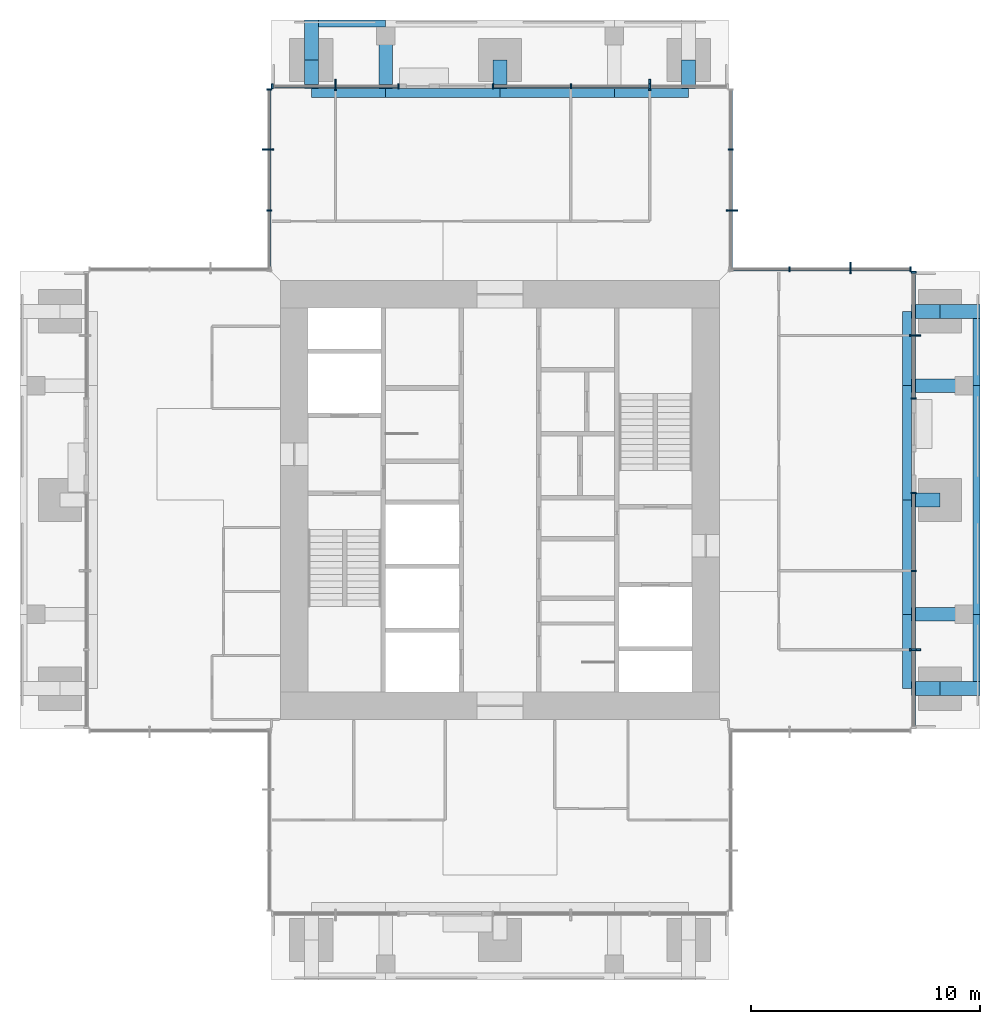
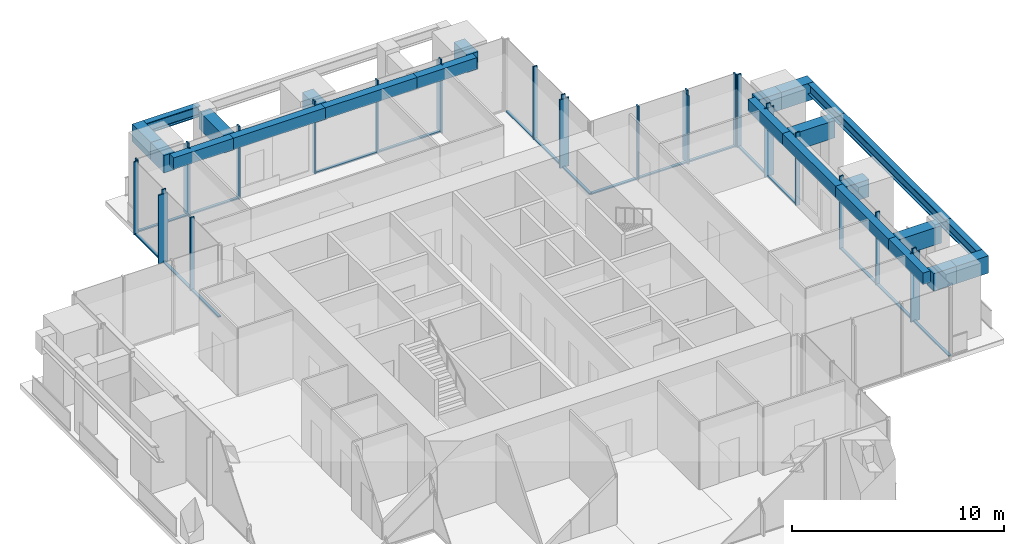
# One storey, part 4 of 12: 45 members, 24 beams, 7 elements without a shape of their own.
"""IFC4 building model written with IfcOpenShell, lengths in metres."""

from ifc_helpers import new_model, si_unit, direction, frame, origin, origin_2d, place, context, subcontext, project, spatial, rectangle, i_section, extrude, material, material_profile, profile_set, type_object, element, aggregate, save


model = new_model("IFC4")

# Units and contexts
model_context = context("Model", 3, precision=1e-05, world=origin(), true_north=direction((0.0, 1.0)))
body_context = subcontext(model_context, "Body", "Model", "MODEL_VIEW")
ifc_project = project(units=[si_unit("LENGTHUNIT", "METRE"), si_unit("AREAUNIT", "SQUARE_METRE"), si_unit("VOLUMEUNIT", "CUBIC_METRE"), si_unit("PLANEANGLEUNIT", "RADIAN"), si_unit("MASSUNIT", "GRAM", prefix="KILO")], contexts=[model_context])

# Site, building, storey
site_placement = place(None, origin())
site = spatial("IfcSite", under=ifc_project, at=site_placement, CompositionType="ELEMENT")
building_placement = place(site_placement, origin())
building = spatial("IfcBuilding", under=site, at=building_placement, Name="Svetlomir Tower", CompositionType="ELEMENT")
storey_placement = place(building_placement, frame((0.0, 0.0, 256.60009765625)))
storey = spatial("IfcBuildingStorey", under=building, at=storey_placement, Name="L61", CompositionType="ELEMENT", Elevation=256.60009765625)

# Curtain wall, member
ifc_material_1 = material(Name="Bronze anodised aluminium curtain wall", Category="aluminium")
curtain_wall_type = type_object("IfcCurtainWallType", Name="CURTAIN WALL CW4 EXECUTIVE", PredefinedType="NOTDEFINED", material=ifc_material_1)
curtain_wall_1_placement = place(storey_placement, origin())
curtain_wall_1 = element("IfcCurtainWall", 1, at=curtain_wall_1_placement, inside=storey, type_object=curtain_wall_type, Name="Curtain wall CW4 L61", PredefinedType="NOTDEFINED")
ifc_material_2 = material(Name="Bronze anodised aluminium", Category="aluminium")
ifc_material_profile_1 = material_profile(ifc_material_2, rectangle(XDim=0.080078125, YDim=0.5, at=origin_2d()), Name="FIN 80x500")
ifc_profile_set_1 = profile_set([ifc_material_profile_1], Name="Bronze anodised aluminium 6063-T6")
member_type_1 = type_object("IfcMemberType", Name="BRONZE FIN 80x500", PredefinedType="USERDEFINED", material=ifc_profile_set_1)
member_1_placement = place(storey_placement, frame((39.14990234375, 14.449951171875, 0.0), z_axis=(0.0, 0.0, 1.0), x_axis=(0.0, 1.0, 0.0)))
member_1 = element("IfcMember", 2, at=member_1_placement, type_object=member_type_1, Name="Bronze fin L61", ObjectType="FIN", PredefinedType="USERDEFINED", context=body_context, shape_type="SweptSolid", body=[
    extrude(rectangle(XDim=0.080078125, YDim=0.5, at=origin_2d()), origin(), (0.0, 0.0, 1.0), 3.949951171875),
])

curtain_wall_2_placement = place(storey_placement, origin())
curtain_wall_2 = element("IfcCurtainWall", 3, at=curtain_wall_2_placement, inside=storey, type_object=curtain_wall_type, Name="Curtain wall CW4 L61", PredefinedType="NOTDEFINED")
member_2_placement = place(storey_placement, frame((39.14990234375, 28.199951171875, 0.0), z_axis=(0.0, 0.0, 1.0), x_axis=(0.0, 1.0, 0.0)))
member_2 = element("IfcMember", 4, at=member_2_placement, type_object=member_type_1, Name="Bronze fin L61", ObjectType="FIN", PredefinedType="USERDEFINED", context=body_context, shape_type="SweptSolid", body=[
    extrude(rectangle(XDim=0.080078125, YDim=0.5, at=origin_2d()), origin(), (0.0, 0.0, 1.0), 3.949951171875),
])

curtain_wall_3_placement = place(storey_placement, origin())
curtain_wall_3 = element("IfcCurtainWall", 5, at=curtain_wall_3_placement, inside=storey, type_object=curtain_wall_type, Name="Curtain wall CW4 L61", PredefinedType="NOTDEFINED")
member_3_placement = place(storey_placement, frame((36.333251953125, 31.14990234375, 0.0), z_axis=(0.0, 0.0, 1.0), x_axis=(1.0, 0.0, 0.0)))
member_3 = element("IfcMember", 6, at=member_3_placement, type_object=member_type_1, Name="Bronze fin L61", ObjectType="FIN", PredefinedType="USERDEFINED", context=body_context, shape_type="SweptSolid", body=[
    extrude(rectangle(XDim=0.080078125, YDim=0.5, at=origin_2d()), origin(), (0.0, 0.0, 1.0), 3.949951171875),
])

curtain_wall_4_placement = place(storey_placement, origin())
curtain_wall_4 = element("IfcCurtainWall", 7, at=curtain_wall_4_placement, inside=storey, type_object=curtain_wall_type, Name="Curtain wall CW4 L61", PredefinedType="NOTDEFINED")
member_4_placement = place(storey_placement, frame((31.14990234375, 33.666748046875, 0.0), z_axis=(0.0, 0.0, 1.0), x_axis=(0.0, 1.0, 0.0)))
member_4 = element("IfcMember", 8, at=member_4_placement, type_object=member_type_1, Name="Bronze fin L61", ObjectType="FIN", PredefinedType="USERDEFINED", context=body_context, shape_type="SweptSolid", body=[
    extrude(rectangle(XDim=0.080078125, YDim=0.5, at=origin_2d()), origin(), (0.0, 0.0, 1.0), 3.949951171875),
])

curtain_wall_5_placement = place(storey_placement, origin())
curtain_wall_5 = element("IfcCurtainWall", 9, at=curtain_wall_5_placement, inside=storey, type_object=curtain_wall_type, Name="Curtain wall CW4 L61", PredefinedType="NOTDEFINED")
member_5_placement = place(storey_placement, frame((27.550048828125, 39.14990234375, 0.0), z_axis=(0.0, 0.0, 1.0), x_axis=(1.0, 0.0, 0.0)))
member_5 = element("IfcMember", 10, at=member_5_placement, type_object=member_type_1, Name="Bronze fin L61", ObjectType="FIN", PredefinedType="USERDEFINED", context=body_context, shape_type="SweptSolid", body=[
    extrude(rectangle(XDim=0.080078125, YDim=0.5, at=origin_2d()), origin(), (0.0, 0.0, 1.0), 3.949951171875),
])

curtain_wall_6_placement = place(storey_placement, origin())
curtain_wall_6 = element("IfcCurtainWall", 11, at=curtain_wall_6_placement, inside=storey, type_object=curtain_wall_type, Name="Curtain wall CW4 L61", PredefinedType="NOTDEFINED")
member_6_placement = place(storey_placement, frame((13.800048828125, 39.14990234375, 0.0), z_axis=(0.0, 0.0, 1.0), x_axis=(1.0, 0.0, 0.0)))
member_6 = element("IfcMember", 12, at=member_6_placement, type_object=member_type_1, Name="Bronze fin L61", ObjectType="FIN", PredefinedType="USERDEFINED", context=body_context, shape_type="SweptSolid", body=[
    extrude(rectangle(XDim=0.080078125, YDim=0.5, at=origin_2d()), origin(), (0.0, 0.0, 1.0), 3.949951171875),
])

curtain_wall_7_placement = place(storey_placement, origin())
curtain_wall_7 = element("IfcCurtainWall", 13, at=curtain_wall_7_placement, inside=storey, type_object=curtain_wall_type, Name="Curtain wall CW4 L61", PredefinedType="NOTDEFINED")
member_7_placement = place(storey_placement, frame((10.85009765625, 36.333251953125, 0.0), z_axis=(0.0, 0.0, 1.0), x_axis=(0.0, 1.0, 0.0)))
member_7 = element("IfcMember", 14, at=member_7_placement, type_object=member_type_1, Name="Bronze fin L61", ObjectType="FIN", PredefinedType="USERDEFINED", context=body_context, shape_type="SweptSolid", body=[
    extrude(rectangle(XDim=0.080078125, YDim=0.5, at=origin_2d()), origin(), (0.0, 0.0, 1.0), 3.949951171875),
])

# Member
ifc_material_3 = material(Name="Bronze anodised aluminium", Category="aluminium")
ifc_material_profile_2 = material_profile(ifc_material_3, rectangle(XDim=0.074951171875, YDim=0.219970703125, at=origin_2d()), Name="AL 75x220")
ifc_profile_set_2 = profile_set([ifc_material_profile_2], Name="Bronze anodised aluminium 6063-T6")
member_type_2 = type_object("IfcMemberType", Name="CW4 MULLION 75x220", PredefinedType="MULLION", material=ifc_profile_set_2)
member_8_placement = place(storey_placement, frame((39.10009765625, 14.449951171875, 0.0), z_axis=(0.0, 0.0, 1.0), x_axis=(0.0, 1.0, 0.0)))
member_8 = element("IfcMember", 15, at=member_8_placement, type_object=member_type_2, Name="CW4 mullion 2", PredefinedType="MULLION", context=body_context, shape_type="SweptSolid", body=[
    extrude(rectangle(XDim=0.074951171875, YDim=0.219970703125, at=origin_2d()), origin(), (0.0, 0.0, 1.0), 4.199951171875),
])

member_9_placement = place(storey_placement, frame((39.10009765625, 17.89990234375, 0.0), z_axis=(0.0, 0.0, 1.0), x_axis=(0.0, 1.0, 0.0)))
member_9 = element("IfcMember", 16, at=member_9_placement, type_object=member_type_2, Name="CW4 mullion 3", PredefinedType="MULLION", context=body_context, shape_type="SweptSolid", body=[
    extrude(rectangle(XDim=0.074951171875, YDim=0.219970703125, at=origin_2d()), origin(), (0.0, 0.0, 1.0), 4.199951171875),
])

member_10_placement = place(storey_placement, frame((39.10009765625, 21.3125, 0.0), z_axis=(0.0, 0.0, 1.0), x_axis=(0.0, 1.0, 0.0)))
member_10 = element("IfcMember", 17, at=member_10_placement, type_object=member_type_2, Name="CW4 mullion 4", PredefinedType="MULLION", context=body_context, shape_type="SweptSolid", body=[
    extrude(rectangle(XDim=0.074951171875, YDim=0.219970703125, at=origin_2d()), origin(), (0.0, 0.0, 1.0), 4.199951171875),
])

member_11_placement = place(storey_placement, frame((39.10009765625, 25.4375, 0.0), z_axis=(0.0, 0.0, 1.0), x_axis=(0.0, 1.0, 0.0)))
member_11 = element("IfcMember", 18, at=member_11_placement, type_object=member_type_2, Name="CW4 mullion 1", PredefinedType="MULLION", context=body_context, shape_type="SweptSolid", body=[
    extrude(rectangle(XDim=0.074951171875, YDim=0.219970703125, at=origin_2d()), origin(), (0.0, 0.0, 1.0), 4.199951171875),
])

member_12_placement = place(storey_placement, frame((39.10009765625, 28.199951171875, 0.0), z_axis=(0.0, 0.0, 1.0), x_axis=(0.0, 1.0, 0.0)))
member_12 = element("IfcMember", 19, at=member_12_placement, type_object=member_type_2, Name="CW4 mullion 2", PredefinedType="MULLION", context=body_context, shape_type="SweptSolid", body=[
    extrude(rectangle(XDim=0.074951171875, YDim=0.219970703125, at=origin_2d()), origin(), (0.0, 0.0, 1.0), 4.199951171875),
])

member_13_placement = place(storey_placement, frame((39.10009765625, 30.96240234375, 0.0), z_axis=(0.0, 0.0, 1.0), x_axis=(0.0, 1.0, 0.0)))
member_13 = element("IfcMember", 20, at=member_13_placement, type_object=member_type_2, Name="CW4 mullion 3", PredefinedType="MULLION", context=body_context, shape_type="SweptSolid", body=[
    extrude(rectangle(XDim=0.074951171875, YDim=0.219970703125, at=origin_2d()), origin(), (0.0, 0.0, 1.0), 4.199951171875),
])

member_14_placement = place(storey_placement, frame((38.96240234375, 31.10009765625, 0.0), z_axis=(0.0, 0.0, 1.0), x_axis=(-1.0, 0.0, 0.0)))
member_14 = element("IfcMember", 21, at=member_14_placement, type_object=member_type_2, Name="CW4 mullion 1", PredefinedType="MULLION", context=body_context, shape_type="SweptSolid", body=[
    extrude(rectangle(XDim=0.074951171875, YDim=0.219970703125, at=origin_2d()), origin(), (0.0, 0.0, 1.0), 4.199951171875),
])

member_15_placement = place(storey_placement, frame((36.333251953125, 31.10009765625, 0.0), z_axis=(0.0, 0.0, 1.0), x_axis=(-1.0, 0.0, 0.0)))
member_15 = element("IfcMember", 22, at=member_15_placement, type_object=member_type_2, Name="CW4 mullion 2", PredefinedType="MULLION", context=body_context, shape_type="SweptSolid", body=[
    extrude(rectangle(XDim=0.074951171875, YDim=0.219970703125, at=origin_2d()), origin(), (0.0, 0.0, 1.0), 4.199951171875),
])

member_16_placement = place(storey_placement, frame((33.666748046875, 31.10009765625, 0.0), z_axis=(0.0, 0.0, 1.0), x_axis=(-1.0, 0.0, 0.0)))
member_16 = element("IfcMember", 23, at=member_16_placement, type_object=member_type_2, Name="CW4 mullion 3", PredefinedType="MULLION", context=body_context, shape_type="SweptSolid", body=[
    extrude(rectangle(XDim=0.074951171875, YDim=0.219970703125, at=origin_2d()), origin(), (0.0, 0.0, 1.0), 4.199951171875),
])

member_17_placement = place(storey_placement, frame((31.10009765625, 33.666748046875, 0.0), z_axis=(0.0, 0.0, 1.0), x_axis=(0.0, 1.0, 0.0)))
member_17 = element("IfcMember", 24, at=member_17_placement, type_object=member_type_2, Name="CW4 mullion 2", PredefinedType="MULLION", context=body_context, shape_type="SweptSolid", body=[
    extrude(rectangle(XDim=0.074951171875, YDim=0.219970703125, at=origin_2d()), origin(), (0.0, 0.0, 1.0), 4.199951171875),
])

member_18_placement = place(storey_placement, frame((31.10009765625, 36.333251953125, 0.0), z_axis=(0.0, 0.0, 1.0), x_axis=(0.0, 1.0, 0.0)))
member_18 = element("IfcMember", 25, at=member_18_placement, type_object=member_type_2, Name="CW4 mullion 3", PredefinedType="MULLION", context=body_context, shape_type="SweptSolid", body=[
    extrude(rectangle(XDim=0.074951171875, YDim=0.219970703125, at=origin_2d()), origin(), (0.0, 0.0, 1.0), 4.199951171875),
])

member_19_placement = place(storey_placement, frame((27.550048828125, 39.10009765625, 0.0), z_axis=(0.0, 0.0, 1.0), x_axis=(-1.0, 0.0, 0.0)))
member_19 = element("IfcMember", 26, at=member_19_placement, type_object=member_type_2, Name="CW4 mullion 2", PredefinedType="MULLION", context=body_context, shape_type="SweptSolid", body=[
    extrude(rectangle(XDim=0.074951171875, YDim=0.219970703125, at=origin_2d()), origin(), (0.0, 0.0, 1.0), 4.199951171875),
])

member_20_placement = place(storey_placement, frame((24.10009765625, 39.10009765625, 0.0), z_axis=(0.0, 0.0, 1.0), x_axis=(-1.0, 0.0, 0.0)))
member_20 = element("IfcMember", 27, at=member_20_placement, type_object=member_type_2, Name="CW4 mullion 3", PredefinedType="MULLION", context=body_context, shape_type="SweptSolid", body=[
    extrude(rectangle(XDim=0.074951171875, YDim=0.219970703125, at=origin_2d()), origin(), (0.0, 0.0, 1.0), 4.199951171875),
])

member_21_placement = place(storey_placement, frame((20.6875, 39.10009765625, 0.0), z_axis=(0.0, 0.0, 1.0), x_axis=(-1.0, 0.0, 0.0)))
member_21 = element("IfcMember", 28, at=member_21_placement, type_object=member_type_2, Name="CW4 mullion 4", PredefinedType="MULLION", context=body_context, shape_type="SweptSolid", body=[
    extrude(rectangle(XDim=0.074951171875, YDim=0.219970703125, at=origin_2d()), origin(), (0.0, 0.0, 1.0), 4.199951171875),
])

member_22_placement = place(storey_placement, frame((16.5625, 39.10009765625, 0.0), z_axis=(0.0, 0.0, 1.0), x_axis=(-1.0, 0.0, 0.0)))
member_22 = element("IfcMember", 29, at=member_22_placement, type_object=member_type_2, Name="CW4 mullion 1", PredefinedType="MULLION", context=body_context, shape_type="SweptSolid", body=[
    extrude(rectangle(XDim=0.074951171875, YDim=0.219970703125, at=origin_2d()), origin(), (0.0, 0.0, 1.0), 4.199951171875),
])

member_23_placement = place(storey_placement, frame((13.800048828125, 39.10009765625, 0.0), z_axis=(0.0, 0.0, 1.0), x_axis=(-1.0, 0.0, 0.0)))
member_23 = element("IfcMember", 30, at=member_23_placement, type_object=member_type_2, Name="CW4 mullion 2", PredefinedType="MULLION", context=body_context, shape_type="SweptSolid", body=[
    extrude(rectangle(XDim=0.074951171875, YDim=0.219970703125, at=origin_2d()), origin(), (0.0, 0.0, 1.0), 4.199951171875),
])

member_24_placement = place(storey_placement, frame((11.03759765625, 39.10009765625, 0.0), z_axis=(0.0, 0.0, 1.0), x_axis=(-1.0, 0.0, 0.0)))
member_24 = element("IfcMember", 31, at=member_24_placement, type_object=member_type_2, Name="CW4 mullion 3", PredefinedType="MULLION", context=body_context, shape_type="SweptSolid", body=[
    extrude(rectangle(XDim=0.074951171875, YDim=0.219970703125, at=origin_2d()), origin(), (0.0, 0.0, 1.0), 4.199951171875),
])

member_25_placement = place(storey_placement, frame((10.89990234375, 38.96240234375, 0.0), z_axis=(0.0, 0.0, 1.0), x_axis=(0.0, -1.0, 0.0)))
member_25 = element("IfcMember", 32, at=member_25_placement, type_object=member_type_2, Name="CW4 mullion 1", PredefinedType="MULLION", context=body_context, shape_type="SweptSolid", body=[
    extrude(rectangle(XDim=0.074951171875, YDim=0.219970703125, at=origin_2d()), origin(), (0.0, 0.0, 1.0), 4.199951171875),
])

member_26_placement = place(storey_placement, frame((10.89990234375, 36.333251953125, 0.0), z_axis=(0.0, 0.0, 1.0), x_axis=(0.0, -1.0, 0.0)))
member_26 = element("IfcMember", 33, at=member_26_placement, type_object=member_type_2, Name="CW4 mullion 2", PredefinedType="MULLION", context=body_context, shape_type="SweptSolid", body=[
    extrude(rectangle(XDim=0.074951171875, YDim=0.219970703125, at=origin_2d()), origin(), (0.0, 0.0, 1.0), 4.199951171875),
])

member_27_placement = place(storey_placement, frame((10.89990234375, 33.666748046875, 0.0), z_axis=(0.0, 0.0, 1.0), x_axis=(0.0, -1.0, 0.0)))
member_27 = element("IfcMember", 34, at=member_27_placement, type_object=member_type_2, Name="CW4 mullion 3", PredefinedType="MULLION", context=body_context, shape_type="SweptSolid", body=[
    extrude(rectangle(XDim=0.074951171875, YDim=0.219970703125, at=origin_2d()), origin(), (0.0, 0.0, 1.0), 4.199951171875),
])

ifc_material_4 = material(Name="Bronze anodised aluminium", Category="aluminium")
ifc_material_profile_3 = material_profile(ifc_material_4, rectangle(XDim=0.14990234375, YDim=0.074951171875, at=origin_2d()), Name="AL 150x75")
ifc_profile_set_3 = profile_set([ifc_material_profile_3], Name="Bronze anodised aluminium 6063-T6")
member_type_3 = type_object("IfcMemberType", Name="CW4 TRANSOM 75x150", PredefinedType="USERDEFINED", material=ifc_profile_set_3)
member_28_placement = place(storey_placement, frame((39.10009765625, 11.074951171875, 0.037353515625), z_axis=(0.0, 1.0, 0.0), x_axis=(-1.0, 0.0, 0.0)))
member_28 = element("IfcMember", 35, at=member_28_placement, type_object=member_type_3, Name="CW4 transom 1.1", ObjectType="TRANSOM", PredefinedType="USERDEFINED", context=body_context, shape_type="SweptSolid", body=[
    extrude(rectangle(XDim=0.14990234375, YDim=0.074951171875, at=origin_2d()), origin(), (0.0, 0.0, 1.0), 3.337646484375),
])

member_29_placement = place(storey_placement, frame((39.10009765625, 14.487548828125, 0.037353515625), z_axis=(0.0, 1.0, 0.0), x_axis=(-1.0, 0.0, 0.0)))
member_29 = element("IfcMember", 36, at=member_29_placement, type_object=member_type_3, Name="CW4 transom 2.1", ObjectType="TRANSOM", PredefinedType="USERDEFINED", context=body_context, shape_type="SweptSolid", body=[
    extrude(rectangle(XDim=0.14990234375, YDim=0.074951171875, at=origin_2d()), origin(), (0.0, 0.0, 1.0), 3.375),
])

member_30_placement = place(storey_placement, frame((39.10009765625, 17.9375, 0.037353515625), z_axis=(0.0, 1.0, 0.0), x_axis=(-1.0, 0.0, 0.0)))
member_30 = element("IfcMember", 37, at=member_30_placement, type_object=member_type_3, Name="CW4 transom 3.1", ObjectType="TRANSOM", PredefinedType="USERDEFINED", context=body_context, shape_type="SweptSolid", body=[
    extrude(rectangle(XDim=0.14990234375, YDim=0.074951171875, at=origin_2d()), origin(), (0.0, 0.0, 1.0), 3.33740234375),
])

aggregate(curtain_wall_1, [member_8, member_9, member_10, member_28, member_29, member_30, member_1])

member_31_placement = place(storey_placement, frame((39.10009765625, 25.47509765625, 0.037353515625), z_axis=(0.0, 1.0, 0.0), x_axis=(-1.0, 0.0, 0.0)))
member_31 = element("IfcMember", 38, at=member_31_placement, type_object=member_type_3, Name="CW4 transom 1.1", ObjectType="TRANSOM", PredefinedType="USERDEFINED", context=body_context, shape_type="SweptSolid", body=[
    extrude(rectangle(XDim=0.14990234375, YDim=0.074951171875, at=origin_2d()), origin(), (0.0, 0.0, 1.0), 2.6875),
])

member_32_placement = place(storey_placement, frame((39.10009765625, 28.237548828125, 0.037353515625), z_axis=(0.0, 1.0, 0.0), x_axis=(-1.0, 0.0, 0.0)))
member_32 = element("IfcMember", 39, at=member_32_placement, type_object=member_type_3, Name="CW4 transom 2.1", ObjectType="TRANSOM", PredefinedType="USERDEFINED", context=body_context, shape_type="SweptSolid", body=[
    extrude(rectangle(XDim=0.14990234375, YDim=0.074951171875, at=origin_2d()), origin(), (0.0, 0.0, 1.0), 2.6875),
])

aggregate(curtain_wall_2, [member_11, member_12, member_13, member_31, member_32, member_2])

member_33_placement = place(storey_placement, frame((38.925048828125, 31.10009765625, 0.037353515625), z_axis=(-1.0, 0.0, 0.0), x_axis=(0.0, -1.0, 0.0)))
member_33 = element("IfcMember", 40, at=member_33_placement, type_object=member_type_3, Name="CW4 transom 1.1", ObjectType="TRANSOM", PredefinedType="USERDEFINED", context=body_context, shape_type="SweptSolid", body=[
    extrude(rectangle(XDim=0.14990234375, YDim=0.074951171875, at=origin_2d()), origin(), (0.0, 0.0, 1.0), 2.55419921875),
])

member_34_placement = place(storey_placement, frame((36.2958984375, 31.10009765625, 0.037353515625), z_axis=(-1.0, 0.0, 0.0), x_axis=(0.0, -1.0, 0.0)))
member_34 = element("IfcMember", 41, at=member_34_placement, type_object=member_type_3, Name="CW4 transom 2.1", ObjectType="TRANSOM", PredefinedType="USERDEFINED", context=body_context, shape_type="SweptSolid", body=[
    extrude(rectangle(XDim=0.14990234375, YDim=0.074951171875, at=origin_2d()), origin(), (0.0, 0.0, 1.0), 2.591796875),
])

member_35_placement = place(storey_placement, frame((33.629150390625, 31.10009765625, 0.037353515625), z_axis=(-1.0, 0.0, 0.0), x_axis=(0.0, -1.0, 0.0)))
member_35 = element("IfcMember", 42, at=member_35_placement, type_object=member_type_3, Name="CW4 transom 3.1", ObjectType="TRANSOM", PredefinedType="USERDEFINED", context=body_context, shape_type="SweptSolid", body=[
    extrude(rectangle(XDim=0.14990234375, YDim=0.074951171875, at=origin_2d()), origin(), (0.0, 0.0, 1.0), 2.55419921875),
])

aggregate(curtain_wall_3, [member_14, member_15, member_16, member_33, member_34, member_35, member_3])

member_36_placement = place(storey_placement, frame((31.10009765625, 31.074951171875, 0.037353515625), z_axis=(0.0, 1.0, 0.0), x_axis=(-1.0, 0.0, 0.0)))
member_36 = element("IfcMember", 43, at=member_36_placement, type_object=member_type_3, Name="CW4 transom 1.1", ObjectType="TRANSOM", PredefinedType="USERDEFINED", context=body_context, shape_type="SweptSolid", body=[
    extrude(rectangle(XDim=0.14990234375, YDim=0.074951171875, at=origin_2d()), origin(), (0.0, 0.0, 1.0), 2.55419921875),
])

member_37_placement = place(storey_placement, frame((31.10009765625, 33.7041015625, 0.037353515625), z_axis=(0.0, 1.0, 0.0), x_axis=(-1.0, 0.0, 0.0)))
member_37 = element("IfcMember", 44, at=member_37_placement, type_object=member_type_3, Name="CW4 transom 2.1", ObjectType="TRANSOM", PredefinedType="USERDEFINED", context=body_context, shape_type="SweptSolid", body=[
    extrude(rectangle(XDim=0.14990234375, YDim=0.074951171875, at=origin_2d()), origin(), (0.0, 0.0, 1.0), 2.591796875),
])

member_38_placement = place(storey_placement, frame((31.10009765625, 36.370849609375, 0.037353515625), z_axis=(0.0, 1.0, 0.0), x_axis=(-1.0, 0.0, 0.0)))
member_38 = element("IfcMember", 45, at=member_38_placement, type_object=member_type_3, Name="CW4 transom 3.1", ObjectType="TRANSOM", PredefinedType="USERDEFINED", context=body_context, shape_type="SweptSolid", body=[
    extrude(rectangle(XDim=0.14990234375, YDim=0.074951171875, at=origin_2d()), origin(), (0.0, 0.0, 1.0), 2.55419921875),
])

aggregate(curtain_wall_4, [member_17, member_18, member_36, member_37, member_38, member_4])

member_39_placement = place(storey_placement, frame((27.512451171875, 39.10009765625, 0.037353515625), z_axis=(-1.0, 0.0, 0.0), x_axis=(0.0, -1.0, 0.0)))
member_39 = element("IfcMember", 46, at=member_39_placement, type_object=member_type_3, Name="CW4 transom 2.1", ObjectType="TRANSOM", PredefinedType="USERDEFINED", context=body_context, shape_type="SweptSolid", body=[
    extrude(rectangle(XDim=0.14990234375, YDim=0.074951171875, at=origin_2d()), origin(), (0.0, 0.0, 1.0), 3.375),
])

member_40_placement = place(storey_placement, frame((24.0625, 39.10009765625, 0.037353515625), z_axis=(-1.0, 0.0, 0.0), x_axis=(0.0, -1.0, 0.0)))
member_40 = element("IfcMember", 47, at=member_40_placement, type_object=member_type_3, Name="CW4 transom 3.1", ObjectType="TRANSOM", PredefinedType="USERDEFINED", context=body_context, shape_type="SweptSolid", body=[
    extrude(rectangle(XDim=0.14990234375, YDim=0.074951171875, at=origin_2d()), origin(), (0.0, 0.0, 1.0), 3.33740234375),
])

aggregate(curtain_wall_5, [member_19, member_20, member_21, member_39, member_40, member_5])

member_41_placement = place(storey_placement, frame((16.52490234375, 39.10009765625, 0.037353515625), z_axis=(-1.0, 0.0, 0.0), x_axis=(0.0, -1.0, 0.0)))
member_41 = element("IfcMember", 48, at=member_41_placement, type_object=member_type_3, Name="CW4 transom 1.1", ObjectType="TRANSOM", PredefinedType="USERDEFINED", context=body_context, shape_type="SweptSolid", body=[
    extrude(rectangle(XDim=0.14990234375, YDim=0.074951171875, at=origin_2d()), origin(), (0.0, 0.0, 1.0), 2.6875),
])

member_42_placement = place(storey_placement, frame((13.762451171875, 39.10009765625, 0.037353515625), z_axis=(-1.0, 0.0, 0.0), x_axis=(0.0, -1.0, 0.0)))
member_42 = element("IfcMember", 49, at=member_42_placement, type_object=member_type_3, Name="CW4 transom 2.1", ObjectType="TRANSOM", PredefinedType="USERDEFINED", context=body_context, shape_type="SweptSolid", body=[
    extrude(rectangle(XDim=0.14990234375, YDim=0.074951171875, at=origin_2d()), origin(), (0.0, 0.0, 1.0), 2.6875),
])

aggregate(curtain_wall_6, [member_22, member_23, member_24, member_41, member_42, member_6])

member_43_placement = place(storey_placement, frame((10.89990234375, 38.925048828125, 0.037353515625), z_axis=(0.0, -1.0, 0.0), x_axis=(1.0, 0.0, 0.0)))
member_43 = element("IfcMember", 50, at=member_43_placement, type_object=member_type_3, Name="CW4 transom 1.1", ObjectType="TRANSOM", PredefinedType="USERDEFINED", context=body_context, shape_type="SweptSolid", body=[
    extrude(rectangle(XDim=0.14990234375, YDim=0.074951171875, at=origin_2d()), origin(), (0.0, 0.0, 1.0), 2.55419921875),
])

member_44_placement = place(storey_placement, frame((10.89990234375, 36.2958984375, 0.037353515625), z_axis=(0.0, -1.0, 0.0), x_axis=(1.0, 0.0, 0.0)))
member_44 = element("IfcMember", 51, at=member_44_placement, type_object=member_type_3, Name="CW4 transom 2.1", ObjectType="TRANSOM", PredefinedType="USERDEFINED", context=body_context, shape_type="SweptSolid", body=[
    extrude(rectangle(XDim=0.14990234375, YDim=0.074951171875, at=origin_2d()), origin(), (0.0, 0.0, 1.0), 2.591796875),
])

member_45_placement = place(storey_placement, frame((10.89990234375, 33.629150390625, 0.037353515625), z_axis=(0.0, -1.0, 0.0), x_axis=(1.0, 0.0, 0.0)))
member_45 = element("IfcMember", 52, at=member_45_placement, type_object=member_type_3, Name="CW4 transom 3.1", ObjectType="TRANSOM", PredefinedType="USERDEFINED", context=body_context, shape_type="SweptSolid", body=[
    extrude(rectangle(XDim=0.14990234375, YDim=0.074951171875, at=origin_2d()), origin(), (0.0, 0.0, 1.0), 2.55419921875),
])

aggregate(curtain_wall_7, [member_25, member_26, member_27, member_43, member_44, member_45, member_7])

# Beams
ifc_material_5 = material(Name="Steel S355", Category="steel")
ifc_material_profile_4 = material_profile(ifc_material_5, i_section(OverallWidth=0.304931640625, OverallDepth=0.6201171875, WebThickness=0.02099609375, FlangeThickness=0.0400390625, FilletRadius=0.027099609375, at=origin_2d()), Name="HEM 600")
ifc_profile_set_4 = profile_set([ifc_material_profile_4], Name="Steel S355")
beam_type_1 = type_object("IfcBeamType", Name="EDGE BEAM HEM 600", PredefinedType="SPANDREL", material=ifc_profile_set_4)
for number, where, z_axis, x_axis, name in (
    (53, (41.847412109375, 13.050048828125, 3.639892578125), (0.0, 1.0, 0.0), (-1.0, 0.0, 0.0), "Edge beam 42/11 to 42/16 under L62"),
    (54, (13.050048828125, 41.847412109375, 3.639892578125), (1.0, 0.0, 0.0), (0.0, 1.0, 0.0), "Edge beam 11/42 to 16/42 under L62"),
):
    element("IfcBeam", number, at=place(storey_placement, frame(where, z_axis=z_axis, x_axis=x_axis)), inside=storey, type_object=beam_type_1, Name=name, PredefinedType="SPANDREL", context=body_context, shape_type="SweptSolid", body=[
        extrude(i_section(OverallWidth=0.304931640625, OverallDepth=0.6201171875, WebThickness=0.02099609375, FlangeThickness=0.0400390625, FilletRadius=0.027099609375, at=origin_2d()), origin(), (0.0, 0.0, 1.0), 2.949951171875),
    ])
beam_1_placement = place(storey_placement, frame((41.847412109375, 16.0, 3.639892578125), z_axis=(0.0, 1.0, 0.0), x_axis=(-1.0, 0.0, 0.0)))
element("IfcBeam", 55, at=beam_1_placement, inside=storey, type_object=beam_type_1, Name="Edge beam 42/16 to 42/26 under L62", PredefinedType="SPANDREL", context=body_context, shape_type="SweptSolid", body=[
    extrude(i_section(OverallWidth=0.304931640625, OverallDepth=0.6201171875, WebThickness=0.02099609375, FlangeThickness=0.0400390625, FilletRadius=0.027099609375, at=origin_2d()), origin(), (0.0, 0.0, 1.0), 10.0),
])
beam_2_placement = place(storey_placement, frame((41.847412109375, 26.0, 3.639892578125), z_axis=(0.0, 1.0, 0.0), x_axis=(-1.0, 0.0, 0.0)))
element("IfcBeam", 56, at=beam_2_placement, inside=storey, type_object=beam_type_1, Name="Edge beam 42/26 to 42/31 under L62", PredefinedType="SPANDREL", context=body_context, shape_type="SweptSolid", body=[
    extrude(i_section(OverallWidth=0.304931640625, OverallDepth=0.6201171875, WebThickness=0.02099609375, FlangeThickness=0.0400390625, FilletRadius=0.027099609375, at=origin_2d()), origin(), (0.0, 0.0, 1.0), 2.949951171875),
])
ifc_material_6 = material(Name="Concrete C60/75", Category="concrete")
ifc_material_profile_5 = material_profile(ifc_material_6, rectangle(XDim=0.60009765625, YDim=1.0, at=origin_2d()), Name="RC 600x1000")
ifc_profile_set_5 = profile_set([ifc_material_profile_5], Name="Concrete C60/75")
beam_type_2 = type_object("IfcBeamType", Name="EDGE LINK BEAM RC 600x1000", PredefinedType="BEAM", material=ifc_profile_set_5)
for number, where, z_axis, x_axis, name in (
    (57, (12.75, 40.25, 3.449951171875), (0.0, 1.0, 0.0), (-1.0, 0.0, 0.0), "Edge link beam N 11/42 under L62"),
    (58, (40.25, 12.75, 3.449951171875), (1.0, 0.0, 0.0), (0.0, 1.0, 0.0), "Edge link beam E 42/11 under L62"),
    (59, (40.25, 29.25, 3.449951171875), (1.0, 0.0, 0.0), (0.0, 1.0, 0.0), "Edge link beam E 42/31 under L62"),
):
    element("IfcBeam", number, at=place(storey_placement, frame(where, z_axis=z_axis, x_axis=x_axis)), inside=storey, type_object=beam_type_2, Name=name, PredefinedType="BEAM", context=body_context, shape_type="SweptSolid", body=[
        extrude(rectangle(XDim=0.60009765625, YDim=1.0, at=origin_2d()), origin(), (0.0, 0.0, 1.0), 1.75),
    ])
ifc_material_7 = material(Name="Concrete C60/75", Category="concrete")
ifc_material_profile_6 = material_profile(ifc_material_7, rectangle(XDim=0.39990234375, YDim=0.64990234375, at=origin_2d()), Name="RC 400x650")
ifc_profile_set_6 = profile_set([ifc_material_profile_6], Name="Concrete C60/75")
beam_type_3 = type_object("IfcBeamType", Name="FACADE EDGE BEAM RC 400x650", PredefinedType="BEAM", material=ifc_profile_set_6)
beam_3_placement = place(storey_placement, frame((12.75, 38.800048828125, 3.625), z_axis=(1.0, 0.0, 0.0), x_axis=(0.0, 1.0, 0.0)))
element("IfcBeam", 60, at=beam_3_placement, inside=storey, type_object=beam_type_3, Name="Facade edge beam N 11 to 16 under L62", PredefinedType="BEAM", context=body_context, shape_type="SweptSolid", body=[
    extrude(rectangle(XDim=0.39990234375, YDim=0.64990234375, at=origin_2d()), origin(), (0.0, 0.0, 1.0), 3.25),
])
for number, where, z_axis, x_axis, name in (
    (61, (16.0, 38.800048828125, 3.625), (1.0, 0.0, 0.0), (0.0, 1.0, 0.0), "Facade edge beam N 16 to 21 under L62"),
    (62, (21.0, 38.800048828125, 3.625), (1.0, 0.0, 0.0), (0.0, 1.0, 0.0), "Facade edge beam N 21 to 26 under L62"),
):
    element("IfcBeam", number, at=place(storey_placement, frame(where, z_axis=z_axis, x_axis=x_axis)), inside=storey, type_object=beam_type_3, Name=name, PredefinedType="BEAM", context=body_context, shape_type="SweptSolid", body=[
        extrude(rectangle(XDim=0.39990234375, YDim=0.64990234375, at=origin_2d()), origin(), (0.0, 0.0, 1.0), 5.0),
    ])
for number, where, z_axis, x_axis, name in (
    (63, (26.0, 38.800048828125, 3.625), (1.0, 0.0, 0.0), (0.0, 1.0, 0.0), "Facade edge beam N 26 to 31 under L62"),
    (64, (38.800048828125, 12.75, 3.625), (0.0, 1.0, 0.0), (-1.0, 0.0, 0.0), "Facade edge beam E 11 to 16 under L62"),
):
    element("IfcBeam", number, at=place(storey_placement, frame(where, z_axis=z_axis, x_axis=x_axis)), inside=storey, type_object=beam_type_3, Name=name, PredefinedType="BEAM", context=body_context, shape_type="SweptSolid", body=[
        extrude(rectangle(XDim=0.39990234375, YDim=0.64990234375, at=origin_2d()), origin(), (0.0, 0.0, 1.0), 3.25),
    ])
for number, where, z_axis, x_axis, name in (
    (65, (38.800048828125, 16.0, 3.625), (0.0, 1.0, 0.0), (-1.0, 0.0, 0.0), "Facade edge beam E 16 to 21 under L62"),
    (66, (38.800048828125, 21.0, 3.625), (0.0, 1.0, 0.0), (-1.0, 0.0, 0.0), "Facade edge beam E 21 to 26 under L62"),
):
    element("IfcBeam", number, at=place(storey_placement, frame(where, z_axis=z_axis, x_axis=x_axis)), inside=storey, type_object=beam_type_3, Name=name, PredefinedType="BEAM", context=body_context, shape_type="SweptSolid", body=[
        extrude(rectangle(XDim=0.39990234375, YDim=0.64990234375, at=origin_2d()), origin(), (0.0, 0.0, 1.0), 5.0),
    ])
beam_4_placement = place(storey_placement, frame((38.800048828125, 26.0, 3.625), z_axis=(0.0, 1.0, 0.0), x_axis=(-1.0, 0.0, 0.0)))
element("IfcBeam", 67, at=beam_4_placement, inside=storey, type_object=beam_type_3, Name="Facade edge beam E 26 to 31 under L62", PredefinedType="BEAM", context=body_context, shape_type="SweptSolid", body=[
    extrude(rectangle(XDim=0.39990234375, YDim=0.64990234375, at=origin_2d()), origin(), (0.0, 0.0, 1.0), 3.25),
])
ifc_material_8 = material(Name="Concrete C60/75", Category="concrete")
ifc_material_profile_7 = material_profile(ifc_material_8, rectangle(XDim=0.60009765625, YDim=1.0, at=origin_2d()), Name="RC 600x1000")
ifc_profile_set_7 = profile_set([ifc_material_profile_7], Name="Concrete C60/75")
beam_type_4 = type_object("IfcBeamType", Name="LOGGIA LINK BEAM RC 600x1000", PredefinedType="BEAM", material=ifc_profile_set_7)
beam_5_placement = place(storey_placement, frame((12.75, 40.25, 3.449951171875), z_axis=(0.0, -1.0, 0.0), x_axis=(1.0, 0.0, 0.0)))
element("IfcBeam", 68, at=beam_5_placement, inside=storey, type_object=beam_type_4, Name="Loggia link beam N 11 under L62", PredefinedType="BEAM", context=body_context, shape_type="SweptSolid", body=[
    extrude(rectangle(XDim=0.60009765625, YDim=1.0, at=origin_2d()), origin(), (0.0, 0.0, 1.0), 1.25),
])
beam_6_placement = place(storey_placement, frame((16.0, 41.300048828125, 3.449951171875), z_axis=(0.0, -1.0, 0.0), x_axis=(1.0, 0.0, 0.0)))
element("IfcBeam", 69, at=beam_6_placement, inside=storey, type_object=beam_type_4, Name="Loggia link beam N 16 under L62", PredefinedType="BEAM", context=body_context, shape_type="SweptSolid", body=[
    extrude(rectangle(XDim=0.60009765625, YDim=1.0, at=origin_2d()), origin(), (0.0, 0.0, 1.0), 2.300048828125),
])
for number, where, z_axis, x_axis, name in (
    (70, (21.0, 40.25, 3.449951171875), (0.0, -1.0, 0.0), (1.0, 0.0, 0.0), "Loggia link beam N 21 under L62"),
    (71, (29.25, 40.25, 3.449951171875), (0.0, -1.0, 0.0), (1.0, 0.0, 0.0), "Loggia link beam N 31 under L62"),
    (72, (40.25, 12.75, 3.449951171875), (-1.0, 0.0, 0.0), (0.0, -1.0, 0.0), "Loggia link beam E 11 under L62"),
):
    element("IfcBeam", number, at=place(storey_placement, frame(where, z_axis=z_axis, x_axis=x_axis)), inside=storey, type_object=beam_type_4, Name=name, PredefinedType="BEAM", context=body_context, shape_type="SweptSolid", body=[
        extrude(rectangle(XDim=0.60009765625, YDim=1.0, at=origin_2d()), origin(), (0.0, 0.0, 1.0), 1.25),
    ])
beam_7_placement = place(storey_placement, frame((41.300048828125, 16.0, 3.449951171875), z_axis=(-1.0, 0.0, 0.0), x_axis=(0.0, -1.0, 0.0)))
element("IfcBeam", 73, at=beam_7_placement, inside=storey, type_object=beam_type_4, Name="Loggia link beam E 16 under L62", PredefinedType="BEAM", context=body_context, shape_type="SweptSolid", body=[
    extrude(rectangle(XDim=0.60009765625, YDim=1.0, at=origin_2d()), origin(), (0.0, 0.0, 1.0), 2.300048828125),
])
beam_8_placement = place(storey_placement, frame((40.25, 21.0, 3.449951171875), z_axis=(-1.0, 0.0, 0.0), x_axis=(0.0, -1.0, 0.0)))
element("IfcBeam", 74, at=beam_8_placement, inside=storey, type_object=beam_type_4, Name="Loggia link beam E 21 under L62", PredefinedType="BEAM", context=body_context, shape_type="SweptSolid", body=[
    extrude(rectangle(XDim=0.60009765625, YDim=1.0, at=origin_2d()), origin(), (0.0, 0.0, 1.0), 1.25),
])
beam_9_placement = place(storey_placement, frame((41.300048828125, 26.0, 3.449951171875), z_axis=(-1.0, 0.0, 0.0), x_axis=(0.0, -1.0, 0.0)))
element("IfcBeam", 75, at=beam_9_placement, inside=storey, type_object=beam_type_4, Name="Loggia link beam E 26 under L62", PredefinedType="BEAM", context=body_context, shape_type="SweptSolid", body=[
    extrude(rectangle(XDim=0.60009765625, YDim=1.0, at=origin_2d()), origin(), (0.0, 0.0, 1.0), 2.300048828125),
])
beam_10_placement = place(storey_placement, frame((40.25, 29.25, 3.449951171875), z_axis=(-1.0, 0.0, 0.0), x_axis=(0.0, -1.0, 0.0)))
element("IfcBeam", 76, at=beam_10_placement, inside=storey, type_object=beam_type_4, Name="Loggia link beam E 31 under L62", PredefinedType="BEAM", context=body_context, shape_type="SweptSolid", body=[
    extrude(rectangle(XDim=0.60009765625, YDim=1.0, at=origin_2d()), origin(), (0.0, 0.0, 1.0), 1.25),
])

save(model, "model.ifc")
